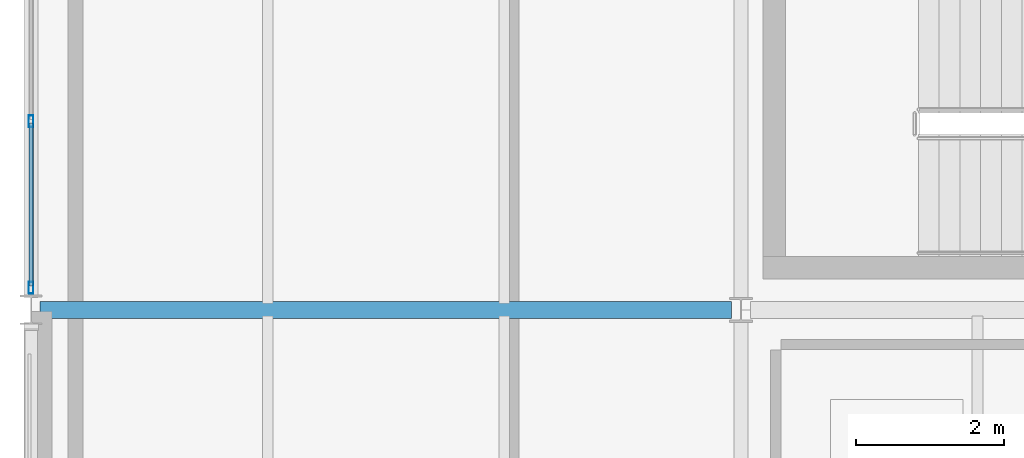
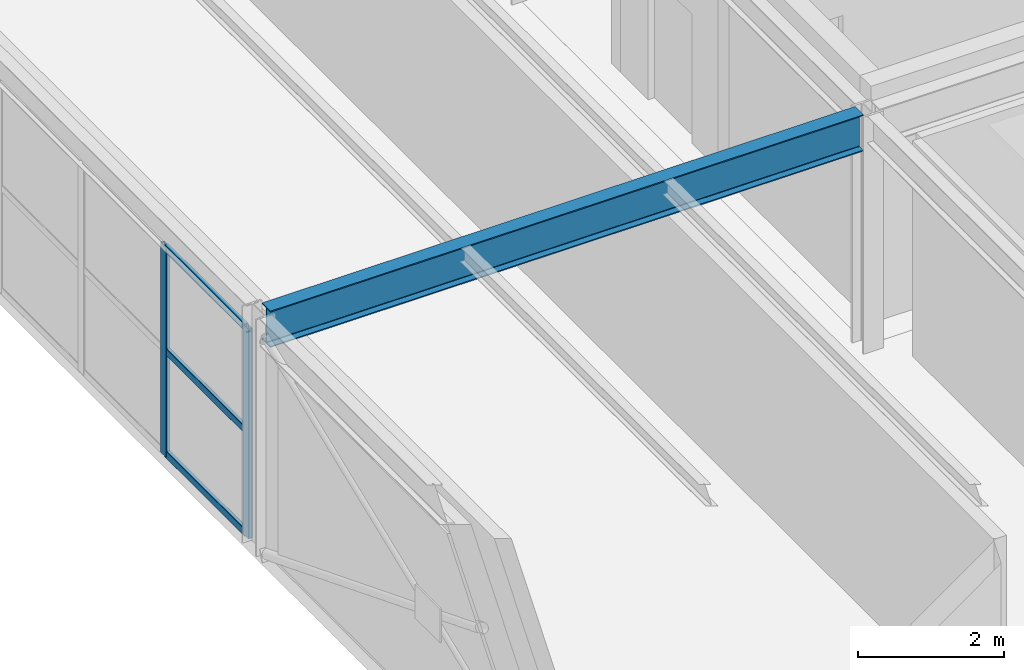
# One storey, part 18 of 126: 5 members, 1 beam, 1 element without a shape of its own.
"""IFC4 building model written with IfcOpenShell, lengths in metres."""

from ifc_helpers import new_model, si_unit, direction, frame, origin, origin_2d, place, context, subcontext, project, spatial, hollow_rectangle, i_section, extrude, material, material_profile, profile_set, type_object, element, aggregate, save


model = new_model("IFC4")

# Units and contexts
model_context = context("Model", 3, precision=1e-05, world=origin(), true_north=direction((0.0, 1.0)))
body_context = subcontext(model_context, "Body", "Model", "MODEL_VIEW")
ifc_project = project(units=[si_unit("LENGTHUNIT", "METRE"), si_unit("AREAUNIT", "SQUARE_METRE"), si_unit("VOLUMEUNIT", "CUBIC_METRE"), si_unit("PLANEANGLEUNIT", "RADIAN"), si_unit("MASSUNIT", "GRAM", prefix="KILO")], contexts=[model_context])

# Site, building, storey
site_placement = place(None, origin())
site = spatial("IfcSite", under=ifc_project, at=site_placement, CompositionType="ELEMENT")
building_placement = place(site_placement, origin())
building = spatial("IfcBuilding", under=site, at=building_placement, Name="Coralgate Yard Interchange", CompositionType="ELEMENT")
storey_placement = place(building_placement, frame((0.0, 0.0, 10.5)))
storey = spatial("IfcBuildingStorey", under=building, at=storey_placement, Name="L02", CompositionType="ELEMENT", Elevation=10.5)

# Beam
ifc_material_1 = material(Name="Structural steel S355J2", Category="steel")
ifc_material_profile_1 = material_profile(ifc_material_1, i_section(OverallWidth=0.228271484375, OverallDepth=0.607666015625, WebThickness=0.010986328125, FlangeThickness=0.017333984375, FilletRadius=0.0126953125, at=origin_2d()), Name="UB 610x229x113")
ifc_profile_set_1 = profile_set([ifc_material_profile_1], Name="Structural steel S355J2")
beam_type = type_object("IfcBeamType", Name="BM-SG-5", PredefinedType="BEAM", material=ifc_profile_set_1)
beam_placement = place(storey_placement, frame((0.1201171875, 28.800048828125, 3.646240234375), z_axis=(1.0, 0.0, 0.0), x_axis=(0.0, 1.0, 0.0)))
element("IfcBeam", 1, at=beam_placement, inside=storey, type_object=beam_type, Name="L02 primary grid beam Y3 X0-1", PredefinedType="BEAM", context=body_context, shape_type="SweptSolid", body=[
    extrude(i_section(OverallWidth=0.228271484375, OverallDepth=0.607666015625, WebThickness=0.010986328125, FlangeThickness=0.017333984375, FilletRadius=0.0126953125, at=origin_2d()), origin(), (0.0, 0.0, 1.0), 9.3525390625),
])

# Curtain wall, members
ifc_material_2 = material(Name="Anodised coastal aluminium and solar-control low-E glass", Category="aluminium")
curtain_wall_type = type_object("IfcCurtainWallType", Name="CW-CW-L02-A", PredefinedType="NOTDEFINED", material=ifc_material_2)
curtain_wall_placement = place(storey_placement, origin())
curtain_wall = element("IfcCurtainWall", 2, at=curtain_wall_placement, inside=storey, type_object=curtain_wall_type, Name="L02 unitised curtain wall CW-L02-W-00-03", PredefinedType="NOTDEFINED")
ifc_material_3 = material(Name="Anodised coastal aluminium 6063-T6", Category="aluminium")
ifc_material_profile_2 = material_profile(ifc_material_3, hollow_rectangle(XDim=0.06494140625, YDim=0.159912109375, WallThickness=0.00390625, InnerFilletRadius=0.00390625, OuterFilletRadius=0.008056640625, at=origin_2d()), Name="ALU 65x160x4")
ifc_profile_set_2 = profile_set([ifc_material_profile_2], Name="Anodised coastal aluminium 6063-T6")
member_type_1 = type_object("IfcMemberType", Name="MB-MUL-160", PredefinedType="MULLION", material=ifc_profile_set_2)
member_1_placement = place(storey_placement, frame((0.0, 29.10009765625, 0.0), z_axis=(0.0, 0.0, 1.0), x_axis=(1.0, 0.0, 0.0)))
member_1 = element("IfcMember", 3, at=member_1_placement, type_object=member_type_1, Name="CW-L02-W-00-03 vertical mullion 1", PredefinedType="MULLION", context=body_context, shape_type="SweptSolid", body=[
    extrude(hollow_rectangle(XDim=0.06494140625, YDim=0.159912109375, WallThickness=0.00390625, InnerFilletRadius=0.00390625, OuterFilletRadius=0.008056640625, at=origin_2d()), origin(), (0.0, 0.0, 1.0), 3.492919921875),
])
member_2_placement = place(storey_placement, frame((0.0, 31.35009765625, 0.0), z_axis=(0.0, 0.0, 1.0), x_axis=(1.0, 0.0, 0.0)))
member_2 = element("IfcMember", 4, at=member_2_placement, type_object=member_type_1, Name="CW-L02-W-00-03 vertical mullion 2", PredefinedType="MULLION", context=body_context, shape_type="SweptSolid", body=[
    extrude(hollow_rectangle(XDim=0.06494140625, YDim=0.159912109375, WallThickness=0.00390625, InnerFilletRadius=0.00390625, OuterFilletRadius=0.008056640625, at=origin_2d()), origin(), (0.0, 0.0, 1.0), 3.492919921875),
])
ifc_material_profile_3 = material_profile(ifc_material_3, hollow_rectangle(XDim=0.06005859375, YDim=0.1201171875, WallThickness=0.00341796875, InnerFilletRadius=0.00341796875, OuterFilletRadius=0.007080078125, at=origin_2d()), Name="ALU 60x120x3.5")
ifc_profile_set_3 = profile_set([ifc_material_profile_3], Name="Anodised coastal aluminium 6063-T6")
member_type_2 = type_object("IfcMemberType", Name="MB-TRN-120", PredefinedType="USERDEFINED", material=ifc_profile_set_3)
member_3_placement = place(storey_placement, frame((0.0, 29.1298828125, 0.034912109375), z_axis=(0.0, 1.0, 0.0), x_axis=(-1.0, 0.0, 0.0)))
member_3 = element("IfcMember", 5, at=member_3_placement, type_object=member_type_2, Name="CW-L02-W-00-03 horizontal transom 1-1", ObjectType="TRANSOM", PredefinedType="USERDEFINED", context=body_context, shape_type="SweptSolid", body=[
    extrude(hollow_rectangle(XDim=0.06005859375, YDim=0.1201171875, WallThickness=0.00341796875, InnerFilletRadius=0.00341796875, OuterFilletRadius=0.007080078125, at=origin_2d()), origin(), (0.0, 0.0, 1.0), 2.190185546875),
])
member_4_placement = place(storey_placement, frame((0.0, 29.1298828125, 1.74658203125), z_axis=(0.0, 1.0, 0.0), x_axis=(-1.0, 0.0, 0.0)))
member_4 = element("IfcMember", 6, at=member_4_placement, type_object=member_type_2, Name="CW-L02-W-00-03 horizontal transom 1-2", ObjectType="TRANSOM", PredefinedType="USERDEFINED", context=body_context, shape_type="SweptSolid", body=[
    extrude(hollow_rectangle(XDim=0.06005859375, YDim=0.1201171875, WallThickness=0.00341796875, InnerFilletRadius=0.00341796875, OuterFilletRadius=0.007080078125, at=origin_2d()), origin(), (0.0, 0.0, 1.0), 2.190185546875),
])
member_5_placement = place(storey_placement, frame((0.0, 29.1298828125, 3.4580078125), z_axis=(0.0, 1.0, 0.0), x_axis=(-1.0, 0.0, 0.0)))
member_5 = element("IfcMember", 7, at=member_5_placement, type_object=member_type_2, Name="CW-L02-W-00-03 horizontal transom 1-3", ObjectType="TRANSOM", PredefinedType="USERDEFINED", context=body_context, shape_type="SweptSolid", body=[
    extrude(hollow_rectangle(XDim=0.06005859375, YDim=0.1201171875, WallThickness=0.00341796875, InnerFilletRadius=0.00341796875, OuterFilletRadius=0.007080078125, at=origin_2d()), origin(), (0.0, 0.0, 1.0), 2.190185546875),
])
aggregate(curtain_wall, [member_1, member_2, member_3, member_4, member_5])

save(model, "model.ifc")
